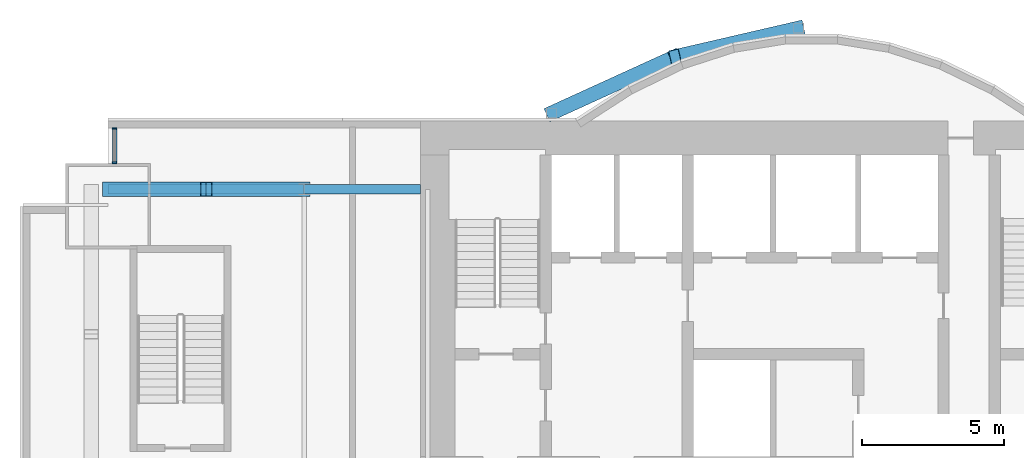
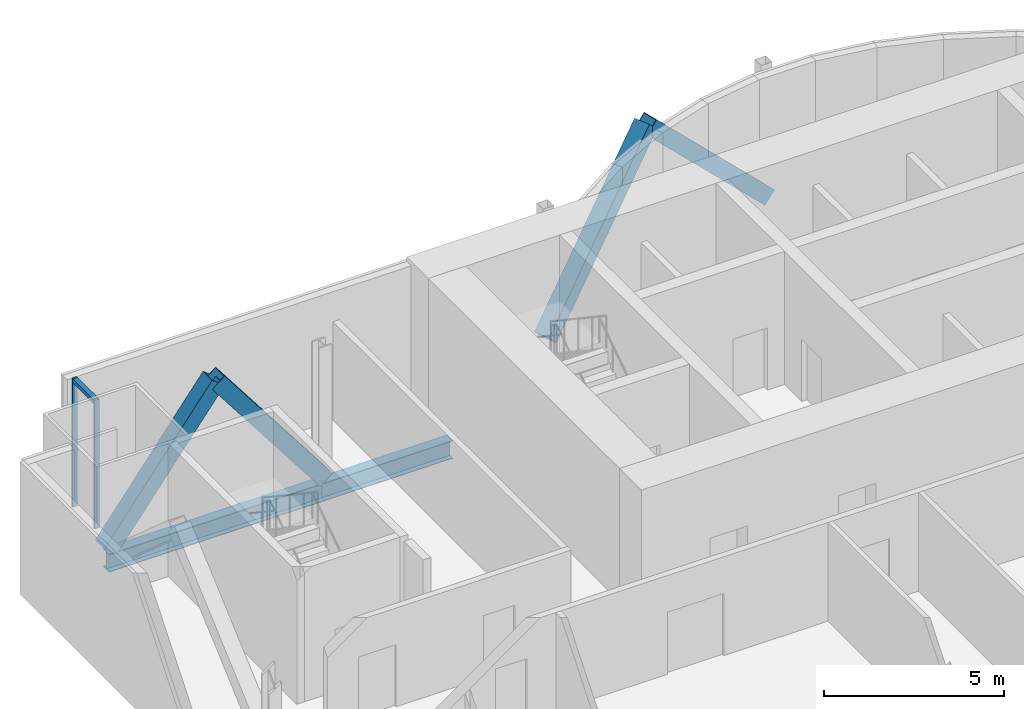
# One storey, part 10 of 21: 7 members, 2 beams, 1 element without a shape of its own.
"""IFC4 building model written with IfcOpenShell, lengths in metres."""

import ifcopenshell
import ifcopenshell.guid

model = None  # the IFC model being written
_history = None  # IfcOwnerHistory: only IFC2X3 demands one
_inside = {}  # id of a spatial element -> (the spatial element, [elements in it])
_under = {}  # id of a project, library or spatial element -> (it, [spatial elements below it])
_declared = {}  # id of a project -> (the project, [libraries it declares])
_typed = {}  # id of a type object -> (the type object, [elements of that type])
_made_of = {}  # id of a material, layer set ... -> (it, [elements and type objects made of it])


def new_model(schema):
    """Start an empty IFC model of exactly this schema.

    Asked for "IFC4X3", IfcOpenShell would pick the latest addendum, in which some entities
    have other attributes; the version numbers below select the first issue.
    IFC2X3 requires an IfcOwnerHistory on every rooted entity: one is made here for all.
    """
    global model, _history
    if schema == "IFC4X3":
        model = ifcopenshell.file(schema_version=(4, 3, 0, 0))
    else:
        model = ifcopenshell.file(schema=schema)
    _inside.clear()
    _under.clear()
    _declared.clear()
    _typed.clear()
    _made_of.clear()
    _history = None
    if model.schema == "IFC2X3":
        org = make("IfcOrganization", Name="unknown")
        user = make(
            "IfcPersonAndOrganization",
            ThePerson=make("IfcPerson", FamilyName="unknown"),
            TheOrganization=org,
        )
        app = make(
            "IfcApplication",
            ApplicationDeveloper=org,
            Version="unknown",
            ApplicationFullName="unknown",
            ApplicationIdentifier="unknown",
        )
        _history = make(
            "IfcOwnerHistory",
            OwningUser=user,
            OwningApplication=app,
            ChangeAction="ADDED",
            CreationDate=0,
        )
    return model


def make(cls, **values):
    """One entity of the class cls with the attributes given. An attribute that is None is left unset."""
    return model.create_entity(
        cls, **{name: value for name, value in values.items() if value is not None}
    )


def rooted(cls, **values):
    """An entity with a GlobalId (a new one), such as an element, a storey or a relation."""
    return make(cls, GlobalId=ifcopenshell.guid.new(), OwnerHistory=_history, **values)


def si_unit(unit_type, name, prefix=None):
    """IfcSIUnit, for example si_unit("LENGTHUNIT", "METRE", prefix="MILLI")."""
    return make("IfcSIUnit", UnitType=unit_type, Prefix=prefix, Name=name)


def assignment(units):
    """IfcUnitAssignment: the units of a project."""
    return None if units is None else make("IfcUnitAssignment", Units=units)


def point(xyz):
    """IfcCartesianPoint."""
    return None if xyz is None else make("IfcCartesianPoint", Coordinates=xyz)


def direction(xyz):
    """IfcDirection."""
    return None if xyz is None else make("IfcDirection", DirectionRatios=xyz)


def frame(location, z_axis=None, x_axis=None):
    """IfcAxis2Placement3D, a coordinate frame: its origin and axes. An axis left out is left unset."""
    return make(
        "IfcAxis2Placement3D",
        Location=point(location),
        Axis=direction(z_axis),
        RefDirection=direction(x_axis),
    )


def frame_2d(location, x_axis=None):
    """IfcAxis2Placement2D, a coordinate frame in the plane: its origin and x axis."""
    return make(
        "IfcAxis2Placement2D", Location=point(location), RefDirection=direction(x_axis)
    )


def origin():
    """The frame at (0, 0, 0) with its axes left unset."""
    return frame((0.0, 0.0, 0.0))


def origin_2d():
    """The frame at (0, 0) in the plane with its x axis left unset."""
    return frame_2d((0.0, 0.0))


def place(relative_to, where):
    """IfcLocalPlacement: puts the frame where relative to a parent placement (None: the world)."""
    return make(
        "IfcLocalPlacement", PlacementRelTo=relative_to, RelativePlacement=where
    )


def context(
    kind, dimensions, precision=None, world=None, true_north=None, identifier=None
):
    """IfcGeometricRepresentationContext, for example the 3D "Model" context."""
    return make(
        "IfcGeometricRepresentationContext",
        ContextIdentifier=identifier,
        ContextType=kind,
        CoordinateSpaceDimension=dimensions,
        Precision=precision,
        WorldCoordinateSystem=world,
        TrueNorth=true_north,
    )


def subcontext(parent, identifier, kind, view, scale=None):
    """IfcGeometricRepresentationSubContext, for example "Body" below "Model"."""
    return make(
        "IfcGeometricRepresentationSubContext",
        ContextIdentifier=identifier,
        ContextType=kind,
        ParentContext=parent,
        TargetScale=scale,
        TargetView=view,
    )


def project(units=None, contexts=None):
    """IfcProject with its units and contexts."""
    return rooted(
        "IfcProject",
        Name="project",
        RepresentationContexts=contexts,
        UnitsInContext=assignment(units),
    )


def spatial(cls, under=None, at=None, **own):
    """A site, building, storey or space (cls), placed at a placement, below another one or the project."""
    s = rooted(cls, ObjectPlacement=at, **own)
    if under is not None:
        _under.setdefault(under.id(), (under, []))[1].append(s)
    return s


def profile(cls, at=None, kind="AREA", **sizes):
    """A parametric profile (cls). Its sizes go by their IFC names, for example OverallWidth=200.0."""
    return make(cls, ProfileType=kind, Position=at, **sizes)


def rectangle(**sizes):
    """IfcRectangleProfileDef."""
    return profile("IfcRectangleProfileDef", **sizes)


def hollow_rectangle(**sizes):
    """IfcRectangleHollowProfileDef."""
    return profile("IfcRectangleHollowProfileDef", **sizes)


def i_section(**sizes):
    """IfcIShapeProfileDef."""
    return profile("IfcIShapeProfileDef", **sizes)


def extrude(swept, where, along, depth):
    """IfcExtrudedAreaSolid: the profile swept, set in the frame where, extruded along a direction by depth."""
    return make(
        "IfcExtrudedAreaSolid",
        SweptArea=swept,
        Position=where,
        ExtrudedDirection=direction(along),
        Depth=depth,
    )


def shape(context_of_items, identifier, shape_type, items):
    """IfcShapeRepresentation: the items that make up one representation, for example the "Body"."""
    return make(
        "IfcShapeRepresentation",
        ContextOfItems=context_of_items,
        RepresentationIdentifier=identifier,
        RepresentationType=shape_type,
        Items=items,
    )


def material(Name=None, Category=None):
    """IfcMaterial."""
    return make("IfcMaterial", Name=Name, Category=Category)


def material_profile(
    of_material, cross_section, Name=None, Category=None, Priority=None
):
    """IfcMaterialProfile: a cross section and its material."""
    return make(
        "IfcMaterialProfile",
        Name=Name,
        Material=of_material,
        Profile=cross_section,
        Priority=Priority,
        Category=Category,
    )


def profile_set(profiles, Name=None, composite=None):
    """IfcMaterialProfileSet."""
    return make(
        "IfcMaterialProfileSet",
        Name=Name,
        MaterialProfiles=profiles,
        CompositeProfile=composite,
    )


def made_of(thing, what):
    """Note that an element or type object is made of a material, layer set ...; save() writes the relation."""
    if what is not None:
        _made_of.setdefault(what.id(), (what, []))[1].append(thing)
    return thing


def type_object(cls, material=None, **own):
    """A type object (cls), such as IfcWallType, which elements share."""
    return made_of(rooted(cls, **own), material)


def element(
    cls,
    number,
    at=None,
    inside=None,
    cuts=None,
    type_object=None,
    material=None,
    context=None,
    identifier="Body",
    shape_type=None,
    held_by="IfcProductDefinitionShape",
    body=None,
    shapes=None,
    **own,
):
    """One element of the class cls, such as IfcWall. Its Tag is "e" and its number.

    at: its placement. inside: the storey or other place that contains it. cuts: it is an
    opening in that element (IfcRelVoidsElement). A single representation is given by context,
    identifier, shape_type and body (its items); several are given by shapes. held_by: the class
    of the entity that holds the representations. save() writes the other relations.
    """
    e = rooted(cls, Tag="e%d" % number, ObjectPlacement=at, **own)
    if body is not None:
        shapes = [shape(context, identifier, shape_type, body)]
    if shapes is not None:
        e.Representation = make(held_by, Representations=shapes)
    if inside is not None:
        _inside.setdefault(inside.id(), (inside, []))[1].append(e)
    if cuts is not None:
        rooted(
            "IfcRelVoidsElement", RelatingBuildingElement=cuts, RelatedOpeningElement=e
        )
    if type_object is not None:
        _typed.setdefault(type_object.id(), (type_object, []))[1].append(e)
    return made_of(e, material)


def aggregate(whole, parts):
    """IfcRelAggregates: a whole, such as a stair, and the parts it consists of."""
    return rooted("IfcRelAggregates", RelatingObject=whole, RelatedObjects=parts)


def save(model, path):
    """Write the relations noted so far, then the file.

    IfcRelAggregates (storeys below a building ...), IfcRelContainedInSpatialStructure (elements
    in a storey), IfcRelDefinesByType, IfcRelAssociatesMaterial and IfcRelDeclares: one each for
    every whole, place, type object, material and project.
    """
    for whole, parts in _under.values():
        aggregate(whole, parts)
    for where, things in _inside.values():
        rooted(
            "IfcRelContainedInSpatialStructure",
            RelatedElements=things,
            RelatingStructure=where,
        )
    for kind, things in _typed.values():
        rooted("IfcRelDefinesByType", RelatedObjects=things, RelatingType=kind)
    for what, things in _made_of.values():
        rooted("IfcRelAssociatesMaterial", RelatedObjects=things, RelatingMaterial=what)
    for by, libraries in _declared.values():
        rooted("IfcRelDeclares", RelatingContext=by, RelatedDefinitions=libraries)
    model.write(path)


model = new_model("IFC4")

# Units and contexts
model_context = context("Model", 3, precision=1e-05, world=origin(), true_north=direction((0.0, 1.0)))
body_context = subcontext(model_context, "Body", "Model", "MODEL_VIEW")
ifc_project = project(units=[si_unit("LENGTHUNIT", "METRE"), si_unit("AREAUNIT", "SQUARE_METRE"), si_unit("VOLUMEUNIT", "CUBIC_METRE"), si_unit("PLANEANGLEUNIT", "RADIAN"), si_unit("MASSUNIT", "GRAM", prefix="KILO")], contexts=[model_context])

# Site, building, storey
site_placement = place(None, origin())
site = spatial("IfcSite", under=ifc_project, at=site_placement, CompositionType="ELEMENT")
building_placement = place(site_placement, origin())
building = spatial("IfcBuilding", under=site, at=building_placement, Name="Bicima Exchange Tower", CompositionType="ELEMENT")
storey_placement = place(building_placement, frame((0.0, 0.0, 75.5)))
storey = spatial("IfcBuildingStorey", under=building, at=storey_placement, Name="L15", CompositionType="ELEMENT", Elevation=75.5)

# Curtain wall, members
ifc_material_1 = material(Name="Anodised bronze aluminium", Category="aluminium")
curtain_wall_type = type_object("IfcCurtainWallType", Name="Front glass wall", PredefinedType="NOTDEFINED", material=ifc_material_1)
curtain_wall_placement = place(storey_placement, origin())
curtain_wall = element("IfcCurtainWall", 1, at=curtain_wall_placement, inside=storey, type_object=curtain_wall_type, Name="Front glass wall L15 run 1", PredefinedType="NOTDEFINED")
ifc_material_profile_1 = material_profile(ifc_material_1, rectangle(XDim=0.159912109375, YDim=0.06005859375, at=origin_2d()))
ifc_profile_set_1 = profile_set([ifc_material_profile_1], Name="Anodised bronze aluminium")
member_type_1 = type_object("IfcMemberType", Name="Front glass wall mullion 60 x 160", PredefinedType="MULLION", material=ifc_profile_set_1)
member_1_placement = place(storey_placement, frame((-32.77001953125, -0.260009765625, 0.0), z_axis=(0.0, 0.0, 1.0), x_axis=(1.0, 0.0, 0.0)))
member_1 = element("IfcMember", 2, at=member_1_placement, type_object=member_type_1, Name="Front glass wall mullion 1", PredefinedType="MULLION", context=body_context, shape_type="SweptSolid", body=[
    extrude(rectangle(XDim=0.159912109375, YDim=0.06005859375, at=origin_2d()), origin(), (0.0, 0.0, 1.0), 4.35009765625),
])
member_2_placement = place(storey_placement, frame((-32.77001953125, -1.469970703125, 0.0), z_axis=(0.0, 0.0, 1.0), x_axis=(1.0, 0.0, 0.0)))
member_2 = element("IfcMember", 3, at=member_2_placement, type_object=member_type_1, Name="Front glass wall mullion 2", PredefinedType="MULLION", context=body_context, shape_type="SweptSolid", body=[
    extrude(rectangle(XDim=0.159912109375, YDim=0.06005859375, at=origin_2d()), origin(), (0.0, 0.0, 1.0), 4.35009765625),
])
ifc_material_profile_2 = material_profile(ifc_material_1, rectangle(XDim=0.159912109375, YDim=0.139892578125, at=origin_2d()))
ifc_profile_set_2 = profile_set([ifc_material_profile_2], Name="Anodised bronze aluminium")
member_type_2 = type_object("IfcMemberType", Name="Front glass wall transom 140 x 160", PredefinedType="USERDEFINED", material=ifc_profile_set_2)
member_3_placement = place(storey_placement, frame((-32.77001953125, -0.2900390625, 4.280029296875), z_axis=(0.0, -1.0, 0.0), x_axis=(1.0, 0.0, 0.0)))
member_3 = element("IfcMember", 4, at=member_3_placement, type_object=member_type_2, Name="Front glass wall transom 1.1", ObjectType="TRANSOM", PredefinedType="USERDEFINED", context=body_context, shape_type="SweptSolid", body=[
    extrude(rectangle(XDim=0.159912109375, YDim=0.139892578125, at=origin_2d()), origin(), (0.0, 0.0, 1.0), 1.14990234375),
])
aggregate(curtain_wall, [member_1, member_2, member_3])

# Members
ifc_material_2 = material(Name="Steel ASTM A572 Gr 50", Category="steel")
ifc_material_profile_3 = material_profile(ifc_material_2, hollow_rectangle(XDim=0.508056640625, YDim=0.508056640625, WallThickness=0.017822265625, at=origin_2d()))
ifc_profile_set_3 = profile_set([ifc_material_profile_3], Name="Steel ASTM A572 Gr 50")
member_type_3 = type_object("IfcMemberType", Name="Mega brace HSS20x20x3/4", PredefinedType="BRACE", material=ifc_profile_set_3)
member_4_placement = place(storey_placement, frame((-17.39990234375, 0.278076171875, 0.0), z_axis=(0.662507516739, 0.302231638101, 0.685375683254), x_axis=(-0.415045223819, 0.909800781592, 0.0)))
element("IfcMember", 5, at=member_4_placement, inside=storey, type_object=member_type_3, Name="Mega brace rexo", PredefinedType="BRACE", context=body_context, shape_type="SweptSolid", body=[
    extrude(hollow_rectangle(XDim=0.508056640625, YDim=0.508056640625, WallThickness=0.017822265625, at=origin_2d()), origin(), (0.0, 0.0, 1.0), 6.565673828125),
])
member_5_placement = place(storey_placement, frame((-8.699951171875, 3.26904296875, 0.0), z_axis=(-0.686212303743, -0.158786245837, 0.709858860848), x_axis=(0.225438503722, -0.974257399787, 0.0)))
element("IfcMember", 6, at=member_5_placement, inside=storey, type_object=member_type_3, Name="Mega brace rexo", PredefinedType="BRACE", context=body_context, shape_type="SweptSolid", body=[
    extrude(hollow_rectangle(XDim=0.508056640625, YDim=0.508056640625, WallThickness=0.017822265625, at=origin_2d()), origin(), (0.0, 0.0, 1.0), 6.33935546875),
])
for number, where, z_axis, x_axis, name in (
    (7, (-33.0, -2.39990234375, 0.0), (0.608426120198, 0.0, 0.793610519248), (0.0, 1.0, 0.0), "Mega brace rear"),
    (8, (-26.10009765625, -2.39990234375, 0.0), (-0.608426120198, 0.0, 0.793610519248), (0.0, -1.0, 0.0), "Mega brace rear"),
):
    element("IfcMember", number, at=place(storey_placement, frame(where, z_axis=z_axis, x_axis=x_axis)), inside=storey, type_object=member_type_3, Name=name, PredefinedType="BRACE", context=body_context, shape_type="SweptSolid", body=[
        extrude(hollow_rectangle(XDim=0.508056640625, YDim=0.508056640625, WallThickness=0.017822265625, at=origin_2d()), origin(), (0.0, 0.0, 1.0), 5.670166015625),
    ])

# Beams
ifc_material_3 = material(Name="Steel ASTM A992 Gr 50", Category="steel")
ifc_material_profile_4 = material_profile(ifc_material_3, i_section(OverallWidth=0.3251953125, OverallDepth=0.612060546875, WebThickness=0.0126953125, FlangeThickness=0.01904296875, at=origin_2d()))
ifc_profile_set_4 = profile_set([ifc_material_profile_4], Name="Steel ASTM A992 Gr 50")
beam_type = type_object("IfcBeamType", Name="Rear girder W24x104", PredefinedType="BEAM", material=ifc_profile_set_4)
beam_1_placement = place(storey_placement, frame((-22.0, -2.39990234375, -0.4560546875), z_axis=(-1.0, 0.0, 0.0), x_axis=(0.0, -1.0, 0.0)))
element("IfcBeam", 9, at=beam_1_placement, inside=storey, type_object=beam_type, Name="Rear girder", PredefinedType="BEAM", context=body_context, shape_type="SweptSolid", body=[
    extrude(i_section(OverallWidth=0.3251953125, OverallDepth=0.612060546875, WebThickness=0.0126953125, FlangeThickness=0.01904296875, at=origin_2d()), origin(), (0.0, 0.0, 1.0), 4.10009765625),
])
beam_2_placement = place(storey_placement, frame((-26.10009765625, -2.39990234375, -0.4560546875), z_axis=(-1.0, 0.0, 0.0), x_axis=(0.0, -1.0, 0.0)))
element("IfcBeam", 10, at=beam_2_placement, inside=storey, type_object=beam_type, Name="Rear girder", PredefinedType="BEAM", context=body_context, shape_type="SweptSolid", body=[
    extrude(i_section(OverallWidth=0.3251953125, OverallDepth=0.612060546875, WebThickness=0.0126953125, FlangeThickness=0.01904296875, at=origin_2d()), origin(), (0.0, 0.0, 1.0), 6.89990234375),
])

save(model, "model.ifc")
